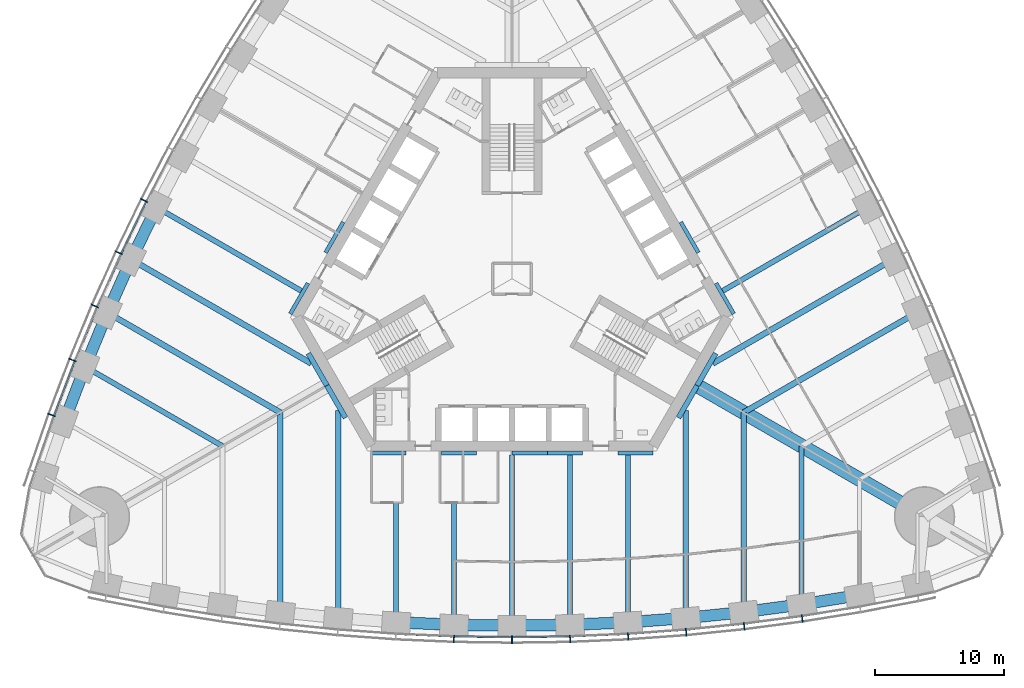
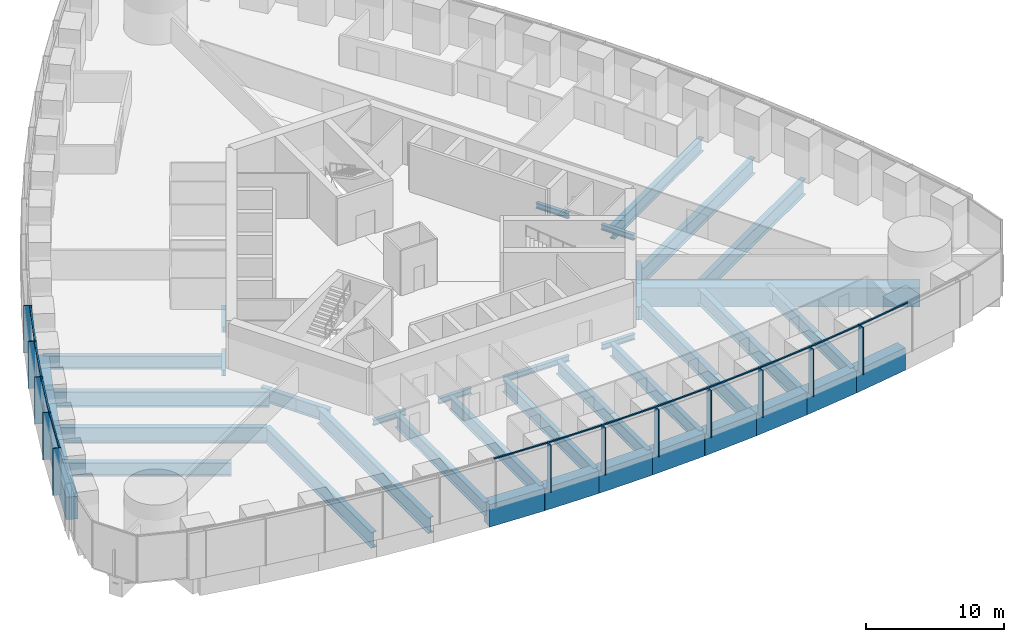
# One storey, part 3 of 18: 43 beams, 24 members, 2 elements without a shape of their own.
"""IFC4 building model written with IfcOpenShell, lengths in metres."""

from ifc_helpers import new_model, si_unit, direction, frame, origin, origin_2d, place, context, subcontext, project, spatial, rectangle, i_section, extrude, material, material_profile, profile_set, type_object, element, aggregate, save


model = new_model("IFC4")

# Units and contexts
model_context = context("Model", 3, precision=1e-05, world=origin(), true_north=direction((0.0, 1.0)))
body_context = subcontext(model_context, "Body", "Model", "MODEL_VIEW")
ifc_project = project(units=[si_unit("LENGTHUNIT", "METRE"), si_unit("AREAUNIT", "SQUARE_METRE"), si_unit("VOLUMEUNIT", "CUBIC_METRE"), si_unit("PLANEANGLEUNIT", "RADIAN"), si_unit("MASSUNIT", "GRAM", prefix="KILO")], contexts=[model_context])

# Site, building, storey
site_placement = place(None, origin())
site = spatial("IfcSite", under=ifc_project, at=site_placement, CompositionType="ELEMENT")
building_placement = place(site_placement, origin())
building = spatial("IfcBuilding", under=site, at=building_placement, Name="Trefoil Bronze Tower", CompositionType="ELEMENT")
storey_placement = place(building_placement, frame((0.0, 0.0, 66.89990234375)))
storey = spatial("IfcBuildingStorey", under=building, at=storey_placement, Name="L15", CompositionType="ELEMENT", Elevation=66.89990234375)

# Curtain wall, members
ifc_material_1 = material(Name="Tinted solar-control glass", Category="glass")
curtain_wall_type = type_object("IfcCurtainWallType", Name="Bronze office curtain wall", PredefinedType="USERDEFINED", material=ifc_material_1)
curtain_wall_1_placement = place(storey_placement, origin())
curtain_wall_1 = element("IfcCurtainWall", 1, at=curtain_wall_1_placement, inside=storey, type_object=curtain_wall_type, Name="CW-A L15 F1", ObjectType="CURTAIN WALL", PredefinedType="USERDEFINED")
ifc_material_2 = material(Name="Bronze-finish aluminium", Category="aluminium")
ifc_material_profile_1 = material_profile(ifc_material_2, rectangle(XDim=0.60009765625, YDim=0.080078125, at=origin_2d()), Name="CW-A mullion")
ifc_profile_set_1 = profile_set([ifc_material_profile_1], Name="Bronze-finish aluminium")
member_type_1 = type_object("IfcMemberType", Name="Bronze office curtain wall mullion", PredefinedType="MULLION", material=ifc_profile_set_1)
member_1_placement = place(storey_placement, frame((-4.5087890625, -27.9833984375, 0.0), z_axis=(0.0, 0.0, 1.0), x_axis=(0.029021671584, 0.999578782577, 0.0)))
member_1 = element("IfcMember", 2, at=member_1_placement, type_object=member_type_1, Name="CW-A L15 F1 mullion 8", PredefinedType="MULLION", context=body_context, shape_type="SweptSolid", body=[
    extrude(rectangle(XDim=0.60009765625, YDim=0.080078125, at=origin_2d()), origin(), (0.0, 0.0, 1.0), 4.18017578125),
])
member_2_placement = place(storey_placement, frame((0.0, -28.048828125, 0.0), z_axis=(0.0, 0.0, 1.0), x_axis=(0.0, 1.0, 0.0)))
member_2 = element("IfcMember", 3, at=member_2_placement, type_object=member_type_1, Name="CW-A L15 F1 mullion 9", PredefinedType="MULLION", context=body_context, shape_type="SweptSolid", body=[
    extrude(rectangle(XDim=0.60009765625, YDim=0.080078125, at=origin_2d()), origin(), (0.0, 0.0, 1.0), 4.18017578125),
])
member_3_placement = place(storey_placement, frame((4.5087890625, -27.9833984375, 0.0), z_axis=(0.0, 0.0, 1.0), x_axis=(-0.029021671584, 0.999578782577, 0.0)))
member_3 = element("IfcMember", 4, at=member_3_placement, type_object=member_type_1, Name="CW-A L15 F1 mullion 10", PredefinedType="MULLION", context=body_context, shape_type="SweptSolid", body=[
    extrude(rectangle(XDim=0.60009765625, YDim=0.080078125, at=origin_2d()), origin(), (0.0, 0.0, 1.0), 4.18017578125),
])
member_4_placement = place(storey_placement, frame((9.017333984375, -27.786865234375, 0.0), z_axis=(0.0, 0.0, 1.0), x_axis=(-0.058043374207, 0.998314062162, 0.0)))
member_4 = element("IfcMember", 5, at=member_4_placement, type_object=member_type_1, Name="CW-A L15 F1 mullion 11", PredefinedType="MULLION", context=body_context, shape_type="SweptSolid", body=[
    extrude(rectangle(XDim=0.60009765625, YDim=0.080078125, at=origin_2d()), origin(), (0.0, 0.0, 1.0), 4.18017578125),
])
member_5_placement = place(storey_placement, frame((13.526123046875, -27.458984375, 0.0), z_axis=(0.0, 0.0, 1.0), x_axis=(-0.087065139456, 0.996202620701, 0.0)))
member_5 = element("IfcMember", 6, at=member_5_placement, type_object=member_type_1, Name="CW-A L15 F1 mullion 12", PredefinedType="MULLION", context=body_context, shape_type="SweptSolid", body=[
    extrude(rectangle(XDim=0.60009765625, YDim=0.080078125, at=origin_2d()), origin(), (0.0, 0.0, 1.0), 4.18017578125),
])
member_6_placement = place(storey_placement, frame((18.034912109375, -26.99853515625, 0.0), z_axis=(0.0, 0.0, 1.0), x_axis=(-0.116086999973, 0.993239048989, 0.0)))
member_6 = element("IfcMember", 7, at=member_6_placement, type_object=member_type_1, Name="CW-A L15 F1 mullion 13", PredefinedType="MULLION", context=body_context, shape_type="SweptSolid", body=[
    extrude(rectangle(XDim=0.60009765625, YDim=0.080078125, at=origin_2d()), origin(), (0.0, 0.0, 1.0), 4.18017578125),
])
member_7_placement = place(storey_placement, frame((22.54345703125, -26.40478515625, 0.0), z_axis=(0.0, 0.0, 1.0), x_axis=(-0.145108990094, 0.989415676546, 0.0)))
member_7 = element("IfcMember", 8, at=member_7_placement, type_object=member_type_1, Name="CW-A L15 F1 mullion 14", PredefinedType="MULLION", context=body_context, shape_type="SweptSolid", body=[
    extrude(rectangle(XDim=0.60009765625, YDim=0.080078125, at=origin_2d()), origin(), (0.0, 0.0, 1.0), 4.18017578125),
])

curtain_wall_2_placement = place(storey_placement, origin())
curtain_wall_2 = element("IfcCurtainWall", 9, at=curtain_wall_2_placement, inside=storey, type_object=curtain_wall_type, Name="CW-A L15 F3", ObjectType="CURTAIN WALL", PredefinedType="USERDEFINED")
member_8_placement = place(storey_placement, frame((-28.57275390625, 6.084228515625, 0.0), z_axis=(0.0, 0.0, 1.0), x_axis=(0.893587025891, -0.448889994497, 0.0)))
member_8 = element("IfcMember", 10, at=member_8_placement, type_object=member_type_1, Name="CW-A L15 F3 mullion 11", PredefinedType="MULLION", context=body_context, shape_type="SweptSolid", body=[
    extrude(rectangle(XDim=0.60009765625, YDim=0.080078125, at=origin_2d()), origin(), (0.0, 0.0, 1.0), 4.18017578125),
])
member_9_placement = place(storey_placement, frame((-30.543212890625, 2.015380859375, 0.0), z_axis=(0.0, 0.0, 1.0), x_axis=(0.906269346572, -0.422700687798, 0.0)))
member_9 = element("IfcMember", 11, at=member_9_placement, type_object=member_type_1, Name="CW-A L15 F3 mullion 12", PredefinedType="MULLION", context=body_context, shape_type="SweptSolid", body=[
    extrude(rectangle(XDim=0.60009765625, YDim=0.080078125, at=origin_2d()), origin(), (0.0, 0.0, 1.0), 4.18017578125),
])
member_10_placement = place(storey_placement, frame((-32.39892578125, -2.119384765625, 0.0), z_axis=(0.0, 0.0, 1.0), x_axis=(0.918213748442, -0.396085233469, 0.0)))
member_10 = element("IfcMember", 12, at=member_10_placement, type_object=member_type_1, Name="CW-A L15 F3 mullion 13", PredefinedType="MULLION", context=body_context, shape_type="SweptSolid", body=[
    extrude(rectangle(XDim=0.60009765625, YDim=0.080078125, at=origin_2d()), origin(), (0.0, 0.0, 1.0), 4.18017578125),
])
member_11_placement = place(storey_placement, frame((-34.138916015625, -6.32080078125, 0.0), z_axis=(0.0, 0.0, 1.0), x_axis=(0.929413605838, -0.369039766534, 0.0)))
member_11 = element("IfcMember", 13, at=member_11_placement, type_object=member_type_1, Name="CW-A L15 F3 mullion 14", PredefinedType="MULLION", context=body_context, shape_type="SweptSolid", body=[
    extrude(rectangle(XDim=0.60009765625, YDim=0.080078125, at=origin_2d()), origin(), (0.0, 0.0, 1.0), 4.18017578125),
])
member_12_placement = place(storey_placement, frame((-35.761962890625, -10.590087890625, 0.0), z_axis=(0.0, 0.0, 1.0), x_axis=(0.939860248316, -0.341559238839, 0.0)))
member_12 = element("IfcMember", 14, at=member_12_placement, type_object=member_type_1, Name="CW-A L15 F3 mullion 15", PredefinedType="MULLION", context=body_context, shape_type="SweptSolid", body=[
    extrude(rectangle(XDim=0.60009765625, YDim=0.080078125, at=origin_2d()), origin(), (0.0, 0.0, 1.0), 4.18017578125),
])

# Member
ifc_material_3 = material(Name="Bronze-finish aluminium", Category="aluminium")
ifc_material_profile_2 = material_profile(ifc_material_3, rectangle(XDim=0.1201171875, YDim=0.10009765625, at=origin_2d()), Name="CW-A transom")
ifc_profile_set_2 = profile_set([ifc_material_profile_2], Name="Bronze-finish aluminium")
member_type_2 = type_object("IfcMemberType", Name="Bronze office curtain wall transom", PredefinedType="USERDEFINED", material=ifc_profile_set_2)
member_13_placement = place(storey_placement, frame((-8.96435546875, -27.589111328125, 4.130126953125), z_axis=(0.999054074786, -0.043485119914, 0.0), x_axis=(0.043485119914, 0.999054074786, 0.0)))
member_13 = element("IfcMember", 15, at=member_13_placement, type_object=member_type_2, Name="CW-A L15 F1 transom 7", ObjectType="TRANSOM", PredefinedType="USERDEFINED", context=body_context, shape_type="SweptSolid", body=[
    extrude(rectangle(XDim=0.1201171875, YDim=0.10009765625, at=origin_2d()), origin(), (0.0, 0.0, 1.0), 4.424072265625),
])

member_14_placement = place(storey_placement, frame((-4.46142578125, -27.783935546875, 4.130126953125), z_axis=(0.999894497273, -0.014525643658, 0.0), x_axis=(0.014525643658, 0.999894497273, 0.0)))
member_14 = element("IfcMember", 16, at=member_14_placement, type_object=member_type_2, Name="CW-A L15 F1 transom 8", ObjectType="TRANSOM", PredefinedType="USERDEFINED", context=body_context, shape_type="SweptSolid", body=[
    extrude(rectangle(XDim=0.1201171875, YDim=0.10009765625, at=origin_2d()), origin(), (0.0, 0.0, 1.0), 4.42041015625),
])

member_15_placement = place(storey_placement, frame((0.04150390625, -27.84814453125, 4.130126953125), z_axis=(0.999894497273, 0.014525643658, 0.0), x_axis=(-0.014525643658, 0.999894497273, 0.0)))
member_15 = element("IfcMember", 17, at=member_15_placement, type_object=member_type_2, Name="CW-A L15 F1 transom 9", ObjectType="TRANSOM", PredefinedType="USERDEFINED", context=body_context, shape_type="SweptSolid", body=[
    extrude(rectangle(XDim=0.1201171875, YDim=0.10009765625, at=origin_2d()), origin(), (0.0, 0.0, 1.0), 4.42041015625),
])

member_16_placement = place(storey_placement, frame((4.54443359375, -27.781494140625, 4.130126953125), z_axis=(0.999054074786, 0.043485119914, 0.0), x_axis=(-0.043485119914, 0.999054074786, 0.0)))
member_16 = element("IfcMember", 18, at=member_16_placement, type_object=member_type_2, Name="CW-A L15 F1 transom 10", ObjectType="TRANSOM", PredefinedType="USERDEFINED", context=body_context, shape_type="SweptSolid", body=[
    extrude(rectangle(XDim=0.1201171875, YDim=0.10009765625, at=origin_2d()), origin(), (0.0, 0.0, 1.0), 4.424072265625),
])

member_17_placement = place(storey_placement, frame((9.047119140625, -27.584228515625, 4.130126953125), z_axis=(0.997364729945, 0.07255064067, 0.0), x_axis=(-0.07255064067, 0.997364729945, 0.0)))
member_17 = element("IfcMember", 19, at=member_17_placement, type_object=member_type_2, Name="CW-A L15 F1 transom 11", ObjectType="TRANSOM", PredefinedType="USERDEFINED", context=body_context, shape_type="SweptSolid", body=[
    extrude(rectangle(XDim=0.1201171875, YDim=0.10009765625, at=origin_2d()), origin(), (0.0, 0.0, 1.0), 4.431884765625),
])

member_18_placement = place(storey_placement, frame((13.550048828125, -27.25537109375, 4.130126953125), z_axis=(0.994831650915, 0.101538102888, 0.0), x_axis=(-0.101538102888, 0.994831650915, 0.0)))
member_18 = element("IfcMember", 20, at=member_18_placement, type_object=member_type_2, Name="CW-A L15 F1 transom 12", ObjectType="TRANSOM", PredefinedType="USERDEFINED", context=body_context, shape_type="SweptSolid", body=[
    extrude(rectangle(XDim=0.1201171875, YDim=0.10009765625, at=origin_2d()), origin(), (0.0, 0.0, 1.0), 4.443359375),
])

member_19_placement = place(storey_placement, frame((18.052734375, -26.79443359375, 4.130126953125), z_axis=(0.991436581643, 0.13058906761, 0.0), x_axis=(-0.13058906761, 0.991436581643, 0.0)))
member_19 = element("IfcMember", 21, at=member_19_placement, type_object=member_type_2, Name="CW-A L15 F1 transom 13", ObjectType="TRANSOM", PredefinedType="USERDEFINED", context=body_context, shape_type="SweptSolid", body=[
    extrude(rectangle(XDim=0.1201171875, YDim=0.10009765625, at=origin_2d()), origin(), (0.0, 0.0, 1.0), 4.458740234375),
])

member_20_placement = place(storey_placement, frame((22.555419921875, -26.2001953125, 4.130126953125), z_axis=(0.987179401487, 0.159614627398, 0.0), x_axis=(-0.159614627398, 0.987179401487, 0.0)))
member_20 = element("IfcMember", 22, at=member_20_placement, type_object=member_type_2, Name="CW-A L15 F1 transom 14", ObjectType="TRANSOM", PredefinedType="USERDEFINED", context=body_context, shape_type="SweptSolid", body=[
    extrude(rectangle(XDim=0.1201171875, YDim=0.10009765625, at=origin_2d()), origin(), (0.0, 0.0, 1.0), 4.478515625),
])

aggregate(curtain_wall_1, [member_1, member_2, member_3, member_4, member_5, member_6, member_7, member_13, member_14, member_15, member_16, member_17, member_18, member_19, member_20])

member_21_placement = place(storey_placement, frame((-28.412109375, 5.95703125, 4.130126953125), z_axis=(-0.435851763293, -0.900018466719, 0.0), x_axis=(0.900018466719, -0.435851763293, 0.0)))
member_21 = element("IfcMember", 23, at=member_21_placement, type_object=member_type_2, Name="CW-A L15 F3 transom 11", ObjectType="TRANSOM", PredefinedType="USERDEFINED", context=body_context, shape_type="SweptSolid", body=[
    extrude(rectangle(XDim=0.1201171875, YDim=0.10009765625, at=origin_2d()), origin(), (0.0, 0.0, 1.0), 4.431884765625),
])

member_22_placement = place(storey_placement, frame((-30.37890625, 1.89306640625, 4.130126953125), z_axis=(-0.409459746452, -0.912328184392, 0.0), x_axis=(0.912328184392, -0.409459746452, 0.0)))
member_22 = element("IfcMember", 24, at=member_22_placement, type_object=member_type_2, Name="CW-A L15 F3 transom 12", ObjectType="TRANSOM", PredefinedType="USERDEFINED", context=body_context, shape_type="SweptSolid", body=[
    extrude(rectangle(XDim=0.1201171875, YDim=0.10009765625, at=origin_2d()), origin(), (0.0, 0.0, 1.0), 4.443359375),
])

member_23_placement = place(storey_placement, frame((-32.231201171875, -2.23681640625, 4.130126953125), z_axis=(-0.382616149417, -0.923907399151, 0.0), x_axis=(0.923907399151, -0.382616149417, 0.0)))
member_23 = element("IfcMember", 25, at=member_23_placement, type_object=member_type_2, Name="CW-A L15 F3 transom 13", ObjectType="TRANSOM", PredefinedType="USERDEFINED", context=body_context, shape_type="SweptSolid", body=[
    extrude(rectangle(XDim=0.1201171875, YDim=0.10009765625, at=origin_2d()), origin(), (0.0, 0.0, 1.0), 4.458984375),
])

member_24_placement = place(storey_placement, frame((-33.9677734375, -6.433349609375, 4.130126953125), z_axis=(-0.355367327392, -0.934726731522, 0.0), x_axis=(0.934726731522, -0.355367327392, 0.0)))
member_24 = element("IfcMember", 26, at=member_24_placement, type_object=member_type_2, Name="CW-A L15 F3 transom 14", ObjectType="TRANSOM", PredefinedType="USERDEFINED", context=body_context, shape_type="SweptSolid", body=[
    extrude(rectangle(XDim=0.1201171875, YDim=0.10009765625, at=origin_2d()), origin(), (0.0, 0.0, 1.0), 4.478515625),
])

aggregate(curtain_wall_2, [member_8, member_9, member_10, member_11, member_12, member_21, member_22, member_23, member_24])

# Beams
ifc_material_4 = material(Name="Steel C355", Category="steel")
ifc_material_profile_3 = material_profile(ifc_material_4, i_section(OverallWidth=0.300048828125, OverallDepth=0.5, WebThickness=0.014404296875, FlangeThickness=0.028076171875, FilletRadius=0.027099609375, at=origin_2d()), Name="HEB 500")
ifc_profile_set_3 = profile_set([ifc_material_profile_3], Name="Steel C355")
beam_type_1 = type_object("IfcBeamType", Name="Core seat beam HEB 500", PredefinedType="BEAM", material=ifc_profile_set_3)
for number, where, z_axis, x_axis, name in (
    (27, (-10.9697265625, -13.550048828125, -0.449951171875), (1.0, 0.0, 0.0), (0.0, 1.0, 0.0), "Core seat beam F1/-2 L15"),
    (28, (-5.48486328125, -13.550048828125, -0.449951171875), (1.0, 0.0, 0.0), (0.0, 1.0, 0.0), "Core seat beam F1/-1 L15"),
    (29, (0.0, -13.550048828125, -0.449951171875), (1.0, 0.0, 0.0), (0.0, 1.0, 0.0), "Core seat beam F1/+0 L15"),
    (30, (2.742431640625, -13.550048828125, -0.449951171875), (1.0, 0.0, 0.0), (0.0, 1.0, 0.0), "Core seat beam F1/+1 L15"),
    (31, (8.227294921875, -13.550048828125, -0.449951171875), (1.0, 0.0, 0.0), (0.0, 1.0, 0.0), "Core seat beam F1/+2 L15"),
    (32, (17.219482421875, -2.72509765625, -0.449951171875), (-0.500035825175, 0.866004719122, 0.0), (-0.866004719122, -0.500035825175, 0.0), "Core seat beam F2/-2 L15"),
    (33, (14.47705078125, 2.02490234375, -0.449951171875), (-0.499969057507, 0.866043267704, 0.0), (-0.866043267704, -0.499969057507, 0.0), "Core seat beam F2/-1 L15"),
    (34, (-13.10595703125, 4.39990234375, -0.449951171875), (-0.499969057507, -0.866043267704, 0.0), (0.866043267704, -0.499969057507, 0.0), "Core seat beam F3/+1 L15"),
    (35, (-15.84814453125, -0.35009765625, -0.449951171875), (-0.500035825175, -0.866004719122, 0.0), (0.866004719122, -0.500035825175, 0.0), "Core seat beam F3/+2 L15"),
):
    element("IfcBeam", number, at=place(storey_placement, frame(where, z_axis=z_axis, x_axis=x_axis)), inside=storey, type_object=beam_type_1, Name=name, PredefinedType="BEAM", context=body_context, shape_type="SweptSolid", body=[
        extrude(i_section(OverallWidth=0.300048828125, OverallDepth=0.5, WebThickness=0.014404296875, FlangeThickness=0.028076171875, FilletRadius=0.027099609375, at=origin_2d()), origin(), (0.0, 0.0, 1.0), 2.742431640625),
    ])
ifc_material_5 = material(Name="Steel C355", Category="steel")
ifc_material_profile_4 = material_profile(ifc_material_5, i_section(OverallWidth=0.39990234375, OverallDepth=1.199951171875, WebThickness=0.02001953125, FlangeThickness=0.0400390625, FilletRadius=0.010009765625, at=origin_2d()), Name="WPG 1200")
ifc_profile_set_4 = profile_set([ifc_material_profile_4], Name="Steel C355")
beam_type_2 = type_object("IfcBeamType", Name="Core seat beam WPG 1200", PredefinedType="BEAM", material=ifc_profile_set_4)
for number, where, z_axis, x_axis, name in (
    (36, (-14.3759765625, -8.300048828125, -0.7998046875), (0.499995765644, -0.866027848477, 0.0), (0.866027848477, 0.499995765644, 0.0), "Core seat beam F1/-3 L15"),
    (37, (12.9326171875, -10.800048828125, -0.7998046875), (0.499995765644, 0.866027848477, 0.0), (-0.866027848477, 0.499995765644, 0.0), "Core seat beam F1/+3 L15"),
    (38, (14.3759765625, -8.300048828125, -0.7998046875), (0.499995765644, 0.866027848477, 0.0), (-0.866027848477, 0.499995765644, 0.0), "Core seat beam F2/-3 L15"),
    (39, (-15.8193359375, -5.800048828125, -0.7998046875), (0.499995765644, -0.866027848477, 0.0), (0.866027848477, 0.499995765644, 0.0), "Core seat beam F3/+3 L15"),
):
    element("IfcBeam", number, at=place(storey_placement, frame(where, z_axis=z_axis, x_axis=x_axis)), inside=storey, type_object=beam_type_2, Name=name, PredefinedType="BEAM", context=body_context, shape_type="SweptSolid", body=[
        extrude(i_section(OverallWidth=0.39990234375, OverallDepth=1.199951171875, WebThickness=0.02001953125, FlangeThickness=0.0400390625, FilletRadius=0.010009765625, at=origin_2d()), origin(), (0.0, 0.0, 1.0), 2.88671875),
    ])
ifc_material_6 = material(Name="Concrete B80", Category="concrete")
ifc_material_profile_5 = material_profile(ifc_material_6, rectangle(XDim=1.10009765625, YDim=1.699951171875, at=origin_2d()), Name="RC 1100x1700")
ifc_profile_set_5 = profile_set([ifc_material_profile_5], Name="Concrete B80")
beam_type_3 = type_object("IfcBeamType", Name="Corner girder RC 1100x1700", PredefinedType="BEAM", material=ifc_profile_set_5)
beam_1_placement = place(storey_placement, frame((14.202880859375, -8.199951171875, -1.0498046875), z_axis=(0.866023947468, -0.500002522405, 0.0), x_axis=(0.500002522405, 0.866023947468, 0.0)))
element("IfcBeam", 40, at=beam_1_placement, inside=storey, type_object=beam_type_3, Name="Corner girder K1 L15", PredefinedType="BEAM", context=body_context, shape_type="SweptSolid", body=[
    extrude(rectangle(XDim=1.10009765625, YDim=1.699951171875, at=origin_2d()), origin(), (0.0, 0.0, 1.0), 20.60009765625),
])
ifc_material_7 = material(Name="Steel C355", Category="steel")
ifc_material_profile_6 = material_profile(ifc_material_7, i_section(OverallWidth=0.39990234375, OverallDepth=1.199951171875, WebThickness=0.02001953125, FlangeThickness=0.0400390625, FilletRadius=0.010009765625, at=origin_2d()), Name="WPG 1200")
ifc_profile_set_6 = profile_set([ifc_material_profile_6], Name="Steel C355")
beam_type_4 = type_object("IfcBeamType", Name="Floor beam WPG 1200", PredefinedType="BEAM", material=ifc_profile_set_6)
beam_2_placement = place(storey_placement, frame((-9.0, -26.68603515625, -0.7998046875), z_axis=(0.0, 1.0, 0.0), x_axis=(-1.0, 0.0, 0.0)))
element("IfcBeam", 41, at=beam_2_placement, inside=storey, type_object=beam_type_4, Name="Floor beam F1/-2 L15", PredefinedType="BEAM", context=body_context, shape_type="SweptSolid", body=[
    extrude(i_section(OverallWidth=0.39990234375, OverallDepth=1.199951171875, WebThickness=0.02001953125, FlangeThickness=0.0400390625, FilletRadius=0.010009765625, at=origin_2d()), origin(), (0.0, 0.0, 1.0), 12.986083984375),
])
beam_3_placement = place(storey_placement, frame((-4.5, -26.883056640625, -0.7998046875), z_axis=(0.0, 1.0, 0.0), x_axis=(-1.0, 0.0, 0.0)))
element("IfcBeam", 42, at=beam_3_placement, inside=storey, type_object=beam_type_4, Name="Floor beam F1/-1 L15", PredefinedType="BEAM", context=body_context, shape_type="SweptSolid", body=[
    extrude(i_section(OverallWidth=0.39990234375, OverallDepth=1.199951171875, WebThickness=0.02001953125, FlangeThickness=0.0400390625, FilletRadius=0.010009765625, at=origin_2d()), origin(), (0.0, 0.0, 1.0), 13.18310546875),
])
beam_4_placement = place(storey_placement, frame((0.0, -26.94873046875, -0.7998046875), z_axis=(0.0, 1.0, 0.0), x_axis=(-1.0, 0.0, 0.0)))
element("IfcBeam", 43, at=beam_4_placement, inside=storey, type_object=beam_type_4, Name="Floor beam F1/+0 L15", PredefinedType="BEAM", context=body_context, shape_type="SweptSolid", body=[
    extrude(i_section(OverallWidth=0.39990234375, OverallDepth=1.199951171875, WebThickness=0.02001953125, FlangeThickness=0.0400390625, FilletRadius=0.010009765625, at=origin_2d()), origin(), (0.0, 0.0, 1.0), 13.248779296875),
])
beam_5_placement = place(storey_placement, frame((4.5, -26.883056640625, -0.7998046875), z_axis=(0.0, 1.0, 0.0), x_axis=(-1.0, 0.0, 0.0)))
element("IfcBeam", 44, at=beam_5_placement, inside=storey, type_object=beam_type_4, Name="Floor beam F1/+1 L15", PredefinedType="BEAM", context=body_context, shape_type="SweptSolid", body=[
    extrude(i_section(OverallWidth=0.39990234375, OverallDepth=1.199951171875, WebThickness=0.02001953125, FlangeThickness=0.0400390625, FilletRadius=0.010009765625, at=origin_2d()), origin(), (0.0, 0.0, 1.0), 13.18310546875),
])
beam_6_placement = place(storey_placement, frame((9.0, -26.68603515625, -0.7998046875), z_axis=(0.0, 1.0, 0.0), x_axis=(-1.0, 0.0, 0.0)))
element("IfcBeam", 45, at=beam_6_placement, inside=storey, type_object=beam_type_4, Name="Floor beam F1/+2 L15", PredefinedType="BEAM", context=body_context, shape_type="SweptSolid", body=[
    extrude(i_section(OverallWidth=0.39990234375, OverallDepth=1.199951171875, WebThickness=0.02001953125, FlangeThickness=0.0400390625, FilletRadius=0.010009765625, at=origin_2d()), origin(), (0.0, 0.0, 1.0), 12.986083984375),
])
beam_7_placement = place(storey_placement, frame((22.5, -25.29931640625, -0.7998046875), z_axis=(0.0, 1.0, 0.0), x_axis=(-1.0, 0.0, 0.0)))
element("IfcBeam", 46, at=beam_7_placement, inside=storey, type_object=beam_type_4, Name="Floor beam F1/+5 L15", PredefinedType="BEAM", context=body_context, shape_type="SweptSolid", body=[
    extrude(i_section(OverallWidth=0.39990234375, OverallDepth=1.199951171875, WebThickness=0.02001953125, FlangeThickness=0.0400390625, FilletRadius=0.010009765625, at=origin_2d()), origin(), (0.0, 0.0, 1.0), 12.308837890625),
])
for number, where, z_axis, x_axis, name in (
    (47, (27.61083984375, 5.548828125, -0.7998046875), (-0.866022474361, -0.500005073876, 0.0), (0.500005073876, -0.866022474361, 0.0), "Floor beam F2/-2 L15"),
    (48, (-27.61083984375, 5.548828125, -0.7998046875), (0.866022474361, -0.500005073876, 0.0), (0.500005073876, 0.866022474361, 0.0), "Floor beam F3/+2 L15"),
):
    element("IfcBeam", number, at=place(storey_placement, frame(where, z_axis=z_axis, x_axis=x_axis)), inside=storey, type_object=beam_type_4, Name=name, PredefinedType="BEAM", context=body_context, shape_type="SweptSolid", body=[
        extrude(i_section(OverallWidth=0.39990234375, OverallDepth=1.199951171875, WebThickness=0.02001953125, FlangeThickness=0.0400390625, FilletRadius=0.010009765625, at=origin_2d()), origin(), (0.0, 0.0, 1.0), 12.986083984375),
    ])
beam_8_placement = place(storey_placement, frame((-33.159912109375, -6.8359375, -0.7998046875), z_axis=(0.866024070878, -0.500002308654, 0.0), x_axis=(0.500002308654, 0.866024070878, 0.0)))
element("IfcBeam", 49, at=beam_8_placement, inside=storey, type_object=beam_type_4, Name="Floor beam F3/+5 L15", PredefinedType="BEAM", context=body_context, shape_type="SweptSolid", body=[
    extrude(i_section(OverallWidth=0.39990234375, OverallDepth=1.199951171875, WebThickness=0.02001953125, FlangeThickness=0.0400390625, FilletRadius=0.010009765625, at=origin_2d()), origin(), (0.0, 0.0, 1.0), 12.30908203125),
])
ifc_material_8 = material(Name="Steel C355", Category="steel")
ifc_material_profile_7 = material_profile(ifc_material_8, i_section(OverallWidth=0.449951171875, OverallDepth=1.39990234375, WebThickness=0.02294921875, FlangeThickness=0.044921875, FilletRadius=0.011962890625, at=origin_2d()), Name="WPG 1400")
ifc_profile_set_7 = profile_set([ifc_material_profile_7], Name="Steel C355")
beam_type_5 = type_object("IfcBeamType", Name="Floor beam WPG 1400", PredefinedType="BEAM", material=ifc_profile_set_7)
beam_9_placement = place(storey_placement, frame((-18.0, -25.895263671875, -0.89990234375), z_axis=(0.0, 1.0, 0.0), x_axis=(-1.0, 0.0, 0.0)))
element("IfcBeam", 50, at=beam_9_placement, inside=storey, type_object=beam_type_5, Name="Floor beam F1/-4 L15", PredefinedType="BEAM", context=body_context, shape_type="SweptSolid", body=[
    extrude(i_section(OverallWidth=0.449951171875, OverallDepth=1.39990234375, WebThickness=0.02294921875, FlangeThickness=0.044921875, FilletRadius=0.011962890625, at=origin_2d()), origin(), (0.0, 0.0, 1.0), 15.5029296875),
])
for number, where, z_axis, x_axis, name in (
    (51, (-13.5, -26.35693359375, -0.89990234375), (0.0, 1.0, 0.0), (-1.0, 0.0, 0.0), "Floor beam F1/-3 L15"),
    (52, (13.5, -26.35693359375, -0.89990234375), (0.0, 1.0, 0.0), (-1.0, 0.0, 0.0), "Floor beam F1/+3 L15"),
):
    element("IfcBeam", number, at=place(storey_placement, frame(where, z_axis=z_axis, x_axis=x_axis)), inside=storey, type_object=beam_type_5, Name=name, PredefinedType="BEAM", context=body_context, shape_type="SweptSolid", body=[
        extrude(i_section(OverallWidth=0.449951171875, OverallDepth=1.39990234375, WebThickness=0.02294921875, FlangeThickness=0.044921875, FilletRadius=0.011962890625, at=origin_2d()), origin(), (0.0, 0.0, 1.0), 16.1396484375),
    ])
beam_10_placement = place(storey_placement, frame((18.0, -25.895263671875, -0.89990234375), z_axis=(0.0, 1.0, 0.0), x_axis=(-1.0, 0.0, 0.0)))
element("IfcBeam", 53, at=beam_10_placement, inside=storey, type_object=beam_type_5, Name="Floor beam F1/+4 L15", PredefinedType="BEAM", context=body_context, shape_type="SweptSolid", body=[
    extrude(i_section(OverallWidth=0.449951171875, OverallDepth=1.39990234375, WebThickness=0.02294921875, FlangeThickness=0.044921875, FilletRadius=0.011962890625, at=origin_2d()), origin(), (0.0, 0.0, 1.0), 15.5029296875),
])
beam_11_placement = place(storey_placement, frame((31.42578125, -2.640869140625, -0.89990234375), z_axis=(-0.866022989816, -0.500004181093, 0.0), x_axis=(0.500004181093, -0.866022989816, 0.0)))
element("IfcBeam", 54, at=beam_11_placement, inside=storey, type_object=beam_type_5, Name="Floor beam F2/-4 L15", PredefinedType="BEAM", context=body_context, shape_type="SweptSolid", body=[
    extrude(i_section(OverallWidth=0.449951171875, OverallDepth=1.39990234375, WebThickness=0.02294921875, FlangeThickness=0.044921875, FilletRadius=0.011962890625, at=origin_2d()), origin(), (0.0, 0.0, 1.0), 15.502685546875),
])
for number, where, z_axis, x_axis, name in (
    (55, (29.575927734375, 1.487060546875, -0.89990234375), (-0.866028401131, -0.499994808408, 0.0), (0.499994808408, -0.866028401131, 0.0), "Floor beam F2/-3 L15"),
    (56, (-29.575927734375, 1.487060546875, -0.89990234375), (0.866028401131, -0.499994808408, 0.0), (0.499994808408, 0.866028401131, 0.0), "Floor beam F3/+3 L15"),
):
    element("IfcBeam", number, at=place(storey_placement, frame(where, z_axis=z_axis, x_axis=x_axis)), inside=storey, type_object=beam_type_5, Name=name, PredefinedType="BEAM", context=body_context, shape_type="SweptSolid", body=[
        extrude(i_section(OverallWidth=0.449951171875, OverallDepth=1.39990234375, WebThickness=0.02294921875, FlangeThickness=0.044921875, FilletRadius=0.011962890625, at=origin_2d()), origin(), (0.0, 0.0, 1.0), 16.139892578125),
    ])
beam_12_placement = place(storey_placement, frame((-31.42578125, -2.640869140625, -0.89990234375), z_axis=(0.866022989816, -0.500004181093, 0.0), x_axis=(0.500004181093, 0.866022989816, 0.0)))
element("IfcBeam", 57, at=beam_12_placement, inside=storey, type_object=beam_type_5, Name="Floor beam F3/+4 L15", PredefinedType="BEAM", context=body_context, shape_type="SweptSolid", body=[
    extrude(i_section(OverallWidth=0.449951171875, OverallDepth=1.39990234375, WebThickness=0.02294921875, FlangeThickness=0.044921875, FilletRadius=0.011962890625, at=origin_2d()), origin(), (0.0, 0.0, 1.0), 15.502685546875),
])
ifc_material_9 = material(Name="Concrete B80", Category="concrete")
ifc_material_profile_8 = material_profile(ifc_material_9, rectangle(XDim=0.89990234375, YDim=2.0, at=origin_2d()), Name="RC 900x2000")
ifc_profile_set_8 = profile_set([ifc_material_profile_8], Name="Concrete B80")
beam_type_6 = type_object("IfcBeamType", Name="Spandrel beam RC 900x2000", PredefinedType="SPANDREL", material=ifc_profile_set_8)
beam_13_placement = place(storey_placement, frame((-9.0, -26.68603515625, -1.199951171875), z_axis=(0.999042919826, -0.043740648671, 0.0), x_axis=(0.043740648671, 0.999042919826, 0.0)))
element("IfcBeam", 58, at=beam_13_placement, inside=storey, type_object=beam_type_6, Name="Spandrel F1.7 L15", PredefinedType="SPANDREL", context=body_context, shape_type="SweptSolid", body=[
    extrude(rectangle(XDim=0.89990234375, YDim=2.0, at=origin_2d()), origin(), (0.0, 0.0, 1.0), 4.50439453125),
])
for number, where, z_axis, x_axis, name in (
    (59, (-4.5, -26.883056640625, -1.199951171875), (0.999893521905, -0.014592630067, 0.0), (0.014592630067, 0.999893521905, 0.0), "Spandrel F1.8 L15"),
    (60, (0.0, -26.94873046875, -1.199951171875), (0.999893521905, 0.014592630067, 0.0), (-0.014592630067, 0.999893521905, 0.0), "Spandrel F1.9 L15"),
):
    element("IfcBeam", number, at=place(storey_placement, frame(where, z_axis=z_axis, x_axis=x_axis)), inside=storey, type_object=beam_type_6, Name=name, PredefinedType="SPANDREL", context=body_context, shape_type="SweptSolid", body=[
        extrude(rectangle(XDim=0.89990234375, YDim=2.0, at=origin_2d()), origin(), (0.0, 0.0, 1.0), 4.50048828125),
    ])
beam_14_placement = place(storey_placement, frame((4.5, -26.883056640625, -1.199951171875), z_axis=(0.999042919826, 0.043740648671, 0.0), x_axis=(-0.043740648671, 0.999042919826, 0.0)))
element("IfcBeam", 61, at=beam_14_placement, inside=storey, type_object=beam_type_6, Name="Spandrel F1.10 L15", PredefinedType="SPANDREL", context=body_context, shape_type="SweptSolid", body=[
    extrude(rectangle(XDim=0.89990234375, YDim=2.0, at=origin_2d()), origin(), (0.0, 0.0, 1.0), 4.50439453125),
])
beam_15_placement = place(storey_placement, frame((9.0, -26.68603515625, -1.199951171875), z_axis=(0.997336412354, 0.072938882588, 0.0), x_axis=(-0.072938882588, 0.997336412354, 0.0)))
element("IfcBeam", 62, at=beam_15_placement, inside=storey, type_object=beam_type_6, Name="Spandrel F1.11 L15", PredefinedType="SPANDREL", context=body_context, shape_type="SweptSolid", body=[
    extrude(rectangle(XDim=0.89990234375, YDim=2.0, at=origin_2d()), origin(), (0.0, 0.0, 1.0), 4.511962890625),
])
beam_16_placement = place(storey_placement, frame((13.5, -26.35693359375, -1.199951171875), z_axis=(0.994778488621, 0.102057623805, 0.0), x_axis=(-0.102057623805, 0.994778488621, 0.0)))
element("IfcBeam", 63, at=beam_16_placement, inside=storey, type_object=beam_type_6, Name="Spandrel F1.12 L15", PredefinedType="SPANDREL", context=body_context, shape_type="SweptSolid", body=[
    extrude(rectangle(XDim=0.89990234375, YDim=2.0, at=origin_2d()), origin(), (0.0, 0.0, 1.0), 4.523681640625),
])
beam_17_placement = place(storey_placement, frame((18.0, -25.895263671875, -1.199951171875), z_axis=(0.991344474846, 0.131286450906, 0.0), x_axis=(-0.131286450906, 0.991344474846, 0.0)))
element("IfcBeam", 64, at=beam_17_placement, inside=storey, type_object=beam_type_6, Name="Spandrel F1.13 L15", PredefinedType="SPANDREL", context=body_context, shape_type="SweptSolid", body=[
    extrude(rectangle(XDim=0.89990234375, YDim=2.0, at=origin_2d()), origin(), (0.0, 0.0, 1.0), 4.539306640625),
])
beam_18_placement = place(storey_placement, frame((22.5, -25.29931640625, -1.199951171875), z_axis=(0.987045951254, 0.160437807615, 0.0), x_axis=(-0.160437807615, 0.987045951254, 0.0)))
element("IfcBeam", 65, at=beam_18_placement, inside=storey, type_object=beam_type_6, Name="Spandrel F1.14 L15", PredefinedType="SPANDREL", context=body_context, shape_type="SweptSolid", body=[
    extrude(rectangle(XDim=0.89990234375, YDim=2.0, at=origin_2d()), origin(), (0.0, 0.0, 1.0), 4.55908203125),
])
beam_19_placement = place(storey_placement, frame((-27.61083984375, 5.548828125, -1.199951171875), z_axis=(-0.435510013583, -0.900183885697, 0.0), x_axis=(0.900183885697, -0.435510013583, 0.0)))
element("IfcBeam", 66, at=beam_19_placement, inside=storey, type_object=beam_type_6, Name="Spandrel F3.11 L15", PredefinedType="SPANDREL", context=body_context, shape_type="SweptSolid", body=[
    extrude(rectangle(XDim=0.89990234375, YDim=2.0, at=origin_2d()), origin(), (0.0, 0.0, 1.0), 4.51220703125),
])
beam_20_placement = place(storey_placement, frame((-29.575927734375, 1.487060546875, -1.199951171875), z_axis=(-0.408945873044, -0.912558640812, 0.0), x_axis=(0.912558640812, -0.408945873044, 0.0)))
element("IfcBeam", 67, at=beam_20_placement, inside=storey, type_object=beam_type_6, Name="Spandrel F3.12 L15", PredefinedType="SPANDREL", context=body_context, shape_type="SweptSolid", body=[
    extrude(rectangle(XDim=0.89990234375, YDim=2.0, at=origin_2d()), origin(), (0.0, 0.0, 1.0), 4.5234375),
])
beam_21_placement = place(storey_placement, frame((-31.42578125, -2.640869140625, -1.199951171875), z_axis=(-0.382020825144, -0.924153715113, 0.0), x_axis=(0.924153715113, -0.382020825144, 0.0)))
element("IfcBeam", 68, at=beam_21_placement, inside=storey, type_object=beam_type_6, Name="Spandrel F3.13 L15", PredefinedType="SPANDREL", context=body_context, shape_type="SweptSolid", body=[
    extrude(rectangle(XDim=0.89990234375, YDim=2.0, at=origin_2d()), origin(), (0.0, 0.0, 1.0), 4.539306640625),
])
beam_22_placement = place(storey_placement, frame((-33.159912109375, -6.8359375, -1.199951171875), z_axis=(-0.354571899767, -0.935028752443, 0.0), x_axis=(0.935028752443, -0.354571899767, 0.0)))
element("IfcBeam", 69, at=beam_22_placement, inside=storey, type_object=beam_type_6, Name="Spandrel F3.14 L15", PredefinedType="SPANDREL", context=body_context, shape_type="SweptSolid", body=[
    extrude(rectangle(XDim=0.89990234375, YDim=2.0, at=origin_2d()), origin(), (0.0, 0.0, 1.0), 4.558837890625),
])

save(model, "model.ifc")
